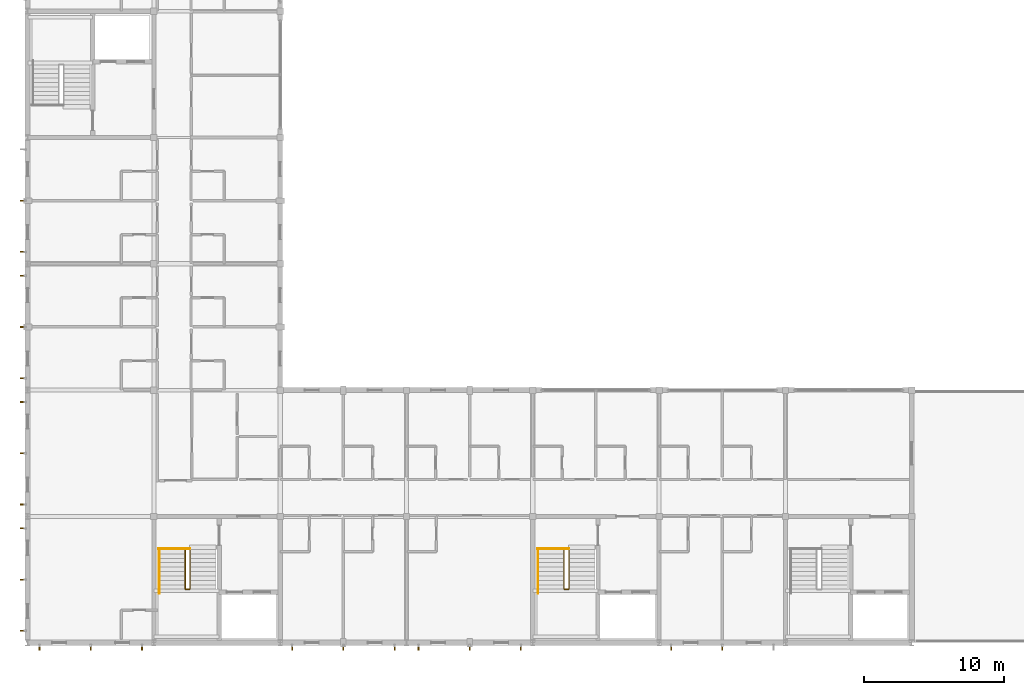
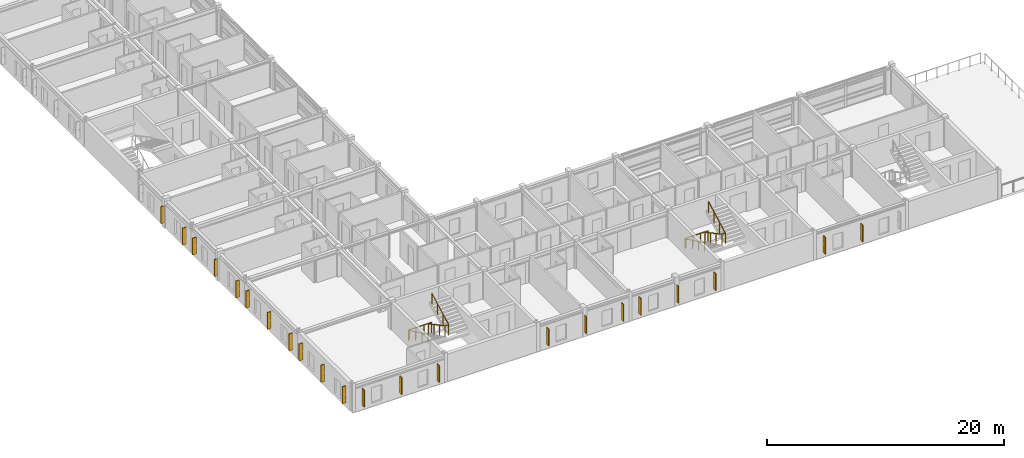
# One storey, part 21 of 24: 22 shading devices, 6 railings.
"""IFC4 building model written with IfcOpenShell, lengths in metres."""

from ifc_helpers import new_model, si_unit, direction, frame, origin, origin_2d, place, context, subcontext, project, spatial, rectangle, circle, extrude, material, type_object, element, save


model = new_model("IFC4")

# Units and contexts
model_context = context("Model", 3, precision=1e-05, world=origin(), true_north=direction((0.0, 1.0)))
body_context = subcontext(model_context, "Body", "Model", "MODEL_VIEW")
ifc_project = project(units=[si_unit("LENGTHUNIT", "METRE"), si_unit("AREAUNIT", "SQUARE_METRE"), si_unit("VOLUMEUNIT", "CUBIC_METRE"), si_unit("PLANEANGLEUNIT", "RADIAN"), si_unit("MASSUNIT", "GRAM", prefix="KILO")], contexts=[model_context])

# Site, building, storey
site_placement = place(None, origin())
site = spatial("IfcSite", under=ifc_project, at=site_placement, CompositionType="ELEMENT")
building_placement = place(site_placement, origin())
building = spatial("IfcBuilding", under=site, at=building_placement, Name="Palais des Congres Ocreval", CompositionType="ELEMENT")
storey_placement = place(building_placement, frame((0.0, 0.0, 17.60009765625)))
storey = spatial("IfcBuildingStorey", under=building, at=storey_placement, Name="L05", CompositionType="ELEMENT", Elevation=17.60009765625)

# Railings
ifc_material_1 = material(Name="Anodized bronze aluminium", Category="aluminium")
railing_type_1 = type_object("IfcRailingType", Name="Bronze Stair and Ramp Handrail 900", PredefinedType="HANDRAIL", material=ifc_material_1)
for number, where, name in (
    (1, (9.3798828125, 6.64990234375, 0.15185546875), "Stair Wall Handrail ST01 L05"),
    (2, (36.3798828125, 6.64990234375, 0.15185546875), "Stair Wall Handrail ST02 L05"),
):
    element("IfcRailing", number, at=place(storey_placement, frame(where)), inside=storey, type_object=railing_type_1, Name=name, PredefinedType="HANDRAIL", context=body_context, shape_type="SweptSolid", body=[
        extrude(circle(Radius=0.02392578125, at=origin_2d()), frame((0.0, 0.0, 0.8759765625), z_axis=(0.0, -0.900621362251, 0.434604604044), x_axis=(1.0, 0.0, 0.0)), (0.0, 0.0, 1.0), 3.49755859375),
        extrude(circle(Radius=0.02099609375, at=origin_2d()), origin(), (0.0, 0.0, 1.0), 0.851806640625),
        extrude(circle(Radius=0.02099609375, at=origin_2d()), frame((0.0, -1.050048828125, 0.506591796875)), (0.0, 0.0, 1.0), 0.851806640625),
        extrude(circle(Radius=0.02099609375, at=origin_2d()), frame((0.0, -2.099853515625, 1.013427734375)), (0.0, 0.0, 1.0), 0.851806640625),
        extrude(circle(Radius=0.02099609375, at=origin_2d()), frame((0.0, -3.14990234375, 1.52001953125)), (0.0, 0.0, 1.0), 0.851806640625),
    ])
ifc_material_2 = material(Name="Steel S355", Category="steel")
railing_type_2 = type_object("IfcRailingType", Name="Stairwell Steel Guardrail 1100", PredefinedType="GUARDRAIL", material=ifc_material_2)
railing_1_placement = place(storey_placement, frame((9.320068359375, 6.699951171875, 0.0)))
element("IfcRailing", 3, at=railing_1_placement, inside=storey, type_object=railing_type_2, Name="Stairwell Landing Edge Guard ST01 L05", PredefinedType="GUARDRAIL", context=body_context, shape_type="SweptSolid", body=[
    extrude(circle(Radius=0.02392578125, at=origin_2d()), frame((0.0, 0.0, 1.076171875), z_axis=(1.0, 0.0, 0.0), x_axis=(0.0, 1.0, 0.0)), (0.0, 0.0, 1.0), 2.25),
    extrude(circle(Radius=0.02099609375, at=origin_2d()), origin(), (0.0, 0.0, 1.0), 1.052001953125),
    extrude(circle(Radius=0.02099609375, at=origin_2d()), frame((0.75, 0.0, 0.0)), (0.0, 0.0, 1.0), 1.052001953125),
    extrude(circle(Radius=0.02099609375, at=origin_2d()), frame((1.5, 0.0, 0.0)), (0.0, 0.0, 1.0), 1.052001953125),
    extrude(circle(Radius=0.02099609375, at=origin_2d()), frame((2.25, 0.0, 0.0)), (0.0, 0.0, 1.0), 1.052001953125),
])
railing_2_placement = place(storey_placement, frame((11.22998046875, 6.64990234375, 0.0)))
element("IfcRailing", 4, at=railing_2_placement, inside=storey, type_object=railing_type_2, Name="Stair Inner Guardrail ST01 L05", PredefinedType="GUARDRAIL", context=body_context, shape_type="SweptSolid", body=[
    extrude(circle(Radius=0.02392578125, at=origin_2d()), frame((0.0, 0.0, 1.076171875), z_axis=(0.0, -0.881312927046, 0.472533093678), x_axis=(1.0, 0.0, 0.0)), (0.0, 0.0, 1.0), 3.216796875),
    extrude(circle(Radius=0.02392578125, at=origin_2d()), frame((0.0, -2.8349609375, 2.59619140625), z_axis=(1.0, 0.0, 0.0), x_axis=(0.0, 1.0, 0.0)), (0.0, 0.0, 1.0), 0.340087890625),
    extrude(circle(Radius=0.02392578125, at=origin_2d()), frame((0.340087890625, -2.8349609375, 2.59619140625), z_axis=(0.0, 0.881344533369, 0.472474140563), x_axis=(-1.0, 0.0, 0.0)), (0.0, 0.0, 1.0), 3.216552734375),
    extrude(circle(Radius=0.02099609375, at=origin_2d()), origin(), (0.0, 0.0, 1.0), 1.052001953125),
    extrude(circle(Radius=0.02099609375, at=origin_2d()), frame((0.0, -0.945068359375, 0.506591796875)), (0.0, 0.0, 1.0), 1.052001953125),
    extrude(circle(Radius=0.02099609375, at=origin_2d()), frame((0.0, -1.889892578125, 1.013427734375)), (0.0, 0.0, 1.0), 1.052001953125),
    extrude(circle(Radius=0.02099609375, at=origin_2d()), frame((0.0, -2.8349609375, 1.52001953125)), (0.0, 0.0, 1.0), 1.052001953125),
    extrude(circle(Radius=0.02099609375, at=origin_2d()), frame((0.340087890625, -2.8349609375, 1.52001953125)), (0.0, 0.0, 1.0), 1.052001953125),
    extrude(circle(Radius=0.02099609375, at=origin_2d()), frame((0.340087890625, -1.889892578125, 2.026611328125)), (0.0, 0.0, 1.0), 1.052001953125),
    extrude(circle(Radius=0.02099609375, at=origin_2d()), frame((0.340087890625, -0.945068359375, 2.533203125)), (0.0, 0.0, 1.0), 1.052001953125),
    extrude(circle(Radius=0.02099609375, at=origin_2d()), frame((0.340087890625, 0.0, 3.039794921875)), (0.0, 0.0, 1.0), 1.052001953125),
])
railing_3_placement = place(storey_placement, frame((36.320068359375, 6.699951171875, 0.0)))
element("IfcRailing", 5, at=railing_3_placement, inside=storey, type_object=railing_type_2, Name="Stairwell Landing Edge Guard ST02 L05", PredefinedType="GUARDRAIL", context=body_context, shape_type="SweptSolid", body=[
    extrude(circle(Radius=0.02392578125, at=origin_2d()), frame((0.0, 0.0, 1.076171875), z_axis=(1.0, 0.0, 0.0), x_axis=(0.0, 1.0, 0.0)), (0.0, 0.0, 1.0), 2.25),
    extrude(circle(Radius=0.02099609375, at=origin_2d()), origin(), (0.0, 0.0, 1.0), 1.052001953125),
    extrude(circle(Radius=0.02099609375, at=origin_2d()), frame((0.75, 0.0, 0.0)), (0.0, 0.0, 1.0), 1.052001953125),
    extrude(circle(Radius=0.02099609375, at=origin_2d()), frame((1.5, 0.0, 0.0)), (0.0, 0.0, 1.0), 1.052001953125),
    extrude(circle(Radius=0.02099609375, at=origin_2d()), frame((2.25, 0.0, 0.0)), (0.0, 0.0, 1.0), 1.052001953125),
])
railing_4_placement = place(storey_placement, frame((38.22998046875, 6.64990234375, 0.0)))
element("IfcRailing", 6, at=railing_4_placement, inside=storey, type_object=railing_type_2, Name="Stair Inner Guardrail ST02 L05", PredefinedType="GUARDRAIL", context=body_context, shape_type="SweptSolid", body=[
    extrude(circle(Radius=0.02392578125, at=origin_2d()), frame((0.0, 0.0, 1.076171875), z_axis=(0.0, -0.881312927046, 0.472533093678), x_axis=(1.0, 0.0, 0.0)), (0.0, 0.0, 1.0), 3.216796875),
    extrude(circle(Radius=0.02392578125, at=origin_2d()), frame((0.0, -2.8349609375, 2.59619140625), z_axis=(1.0, 0.0, 0.0), x_axis=(0.0, 1.0, 0.0)), (0.0, 0.0, 1.0), 0.340087890625),
    extrude(circle(Radius=0.02392578125, at=origin_2d()), frame((0.340087890625, -2.8349609375, 2.59619140625), z_axis=(0.0, 0.881344533369, 0.472474140563), x_axis=(-1.0, 0.0, 0.0)), (0.0, 0.0, 1.0), 3.216552734375),
    extrude(circle(Radius=0.02099609375, at=origin_2d()), origin(), (0.0, 0.0, 1.0), 1.052001953125),
    extrude(circle(Radius=0.02099609375, at=origin_2d()), frame((0.0, -0.945068359375, 0.506591796875)), (0.0, 0.0, 1.0), 1.052001953125),
    extrude(circle(Radius=0.02099609375, at=origin_2d()), frame((0.0, -1.889892578125, 1.013427734375)), (0.0, 0.0, 1.0), 1.052001953125),
    extrude(circle(Radius=0.02099609375, at=origin_2d()), frame((0.0, -2.8349609375, 1.52001953125)), (0.0, 0.0, 1.0), 1.052001953125),
    extrude(circle(Radius=0.02099609375, at=origin_2d()), frame((0.340087890625, -2.8349609375, 1.52001953125)), (0.0, 0.0, 1.0), 1.052001953125),
    extrude(circle(Radius=0.02099609375, at=origin_2d()), frame((0.340087890625, -1.889892578125, 2.026611328125)), (0.0, 0.0, 1.0), 1.052001953125),
    extrude(circle(Radius=0.02099609375, at=origin_2d()), frame((0.340087890625, -0.945068359375, 2.533203125)), (0.0, 0.0, 1.0), 1.052001953125),
    extrude(circle(Radius=0.02099609375, at=origin_2d()), frame((0.340087890625, 0.0, 3.039794921875)), (0.0, 0.0, 1.0), 1.052001953125),
])

# Shading devices
ifc_material_3 = material(Name="Terracotta ceramic", Category="masonry")
shading_device_type = type_object("IfcShadingDeviceType", Name="Terracotta Ceramic Brise-Soleil Fin 360", PredefinedType="JALOUSIE", material=ifc_material_3)
for number, where, z_axis, x_axis, name in (
    (7, (49.5, -0.360107421875, 0.474853515625), (0.0, 0.0, 1.0), (0.0, -1.0, 0.0), "Ceramic Celosia Sun-Fin SD01"),
    (8, (45.85009765625, -0.360107421875, 0.474853515625), (0.0, 0.0, 1.0), (0.0, -1.0, 0.0), "Ceramic Celosia Sun-Fin SD01"),
    (9, (35.14990234375, -0.360107421875, 0.474853515625), (0.0, 0.0, 1.0), (0.0, -1.0, 0.0), "Ceramic Celosia Sun-Fin SD01"),
    (10, (31.5, -0.360107421875, 0.474853515625), (0.0, 0.0, 1.0), (0.0, -1.0, 0.0), "Ceramic Celosia Sun-Fin SD01"),
    (11, (27.85009765625, -0.360107421875, 0.474853515625), (0.0, 0.0, 1.0), (0.0, -1.0, 0.0), "Ceramic Celosia Sun-Fin SD01"),
    (12, (26.14990234375, -0.360107421875, 0.474853515625), (0.0, 0.0, 1.0), (0.0, -1.0, 0.0), "Ceramic Celosia Sun-Fin SD01"),
    (13, (22.5, -0.360107421875, 0.474853515625), (0.0, 0.0, 1.0), (0.0, -1.0, 0.0), "Ceramic Celosia Sun-Fin SD01"),
    (14, (18.85009765625, -0.360107421875, 0.474853515625), (0.0, 0.0, 1.0), (0.0, -1.0, 0.0), "Ceramic Celosia Sun-Fin SD01"),
    (15, (8.14990234375, -0.360107421875, 0.474853515625), (0.0, 0.0, 1.0), (0.0, -1.0, 0.0), "Ceramic Celosia Sun-Fin SD01"),
    (16, (4.5, -0.360107421875, 0.474853515625), (0.0, 0.0, 1.0), (0.0, -1.0, 0.0), "Ceramic Celosia Sun-Fin SD01"),
    (17, (0.85009765625, -0.360107421875, 0.474853515625), (0.0, 0.0, 1.0), (0.0, -1.0, 0.0), "Ceramic Celosia Sun-Fin SD01"),
    (18, (-0.360107421875, 0.85009765625, 0.474853515625), (0.0, 0.0, 1.0), (-1.0, 0.0, 0.0), "Ceramic Celosia Sun-Fin SD01"),
    (19, (-0.360107421875, 4.5, 0.474853515625), (0.0, 0.0, 1.0), (-1.0, 0.0, 0.0), "Ceramic Celosia Sun-Fin SD01"),
    (20, (-0.360107421875, 8.14990234375, 0.474853515625), (0.0, 0.0, 1.0), (-1.0, 0.0, 0.0), "Ceramic Celosia Sun-Fin SD01"),
    (21, (-0.360107421875, 9.85009765625, 0.474853515625), (0.0, 0.0, 1.0), (-1.0, 0.0, 0.0), "Ceramic Celosia Sun-Fin SD01"),
    (22, (-0.360107421875, 13.5, 0.474853515625), (0.0, 0.0, 1.0), (-1.0, 0.0, 0.0), "Ceramic Celosia Sun-Fin SD01"),
    (23, (-0.360107421875, 17.14990234375, 0.474853515625), (0.0, 0.0, 1.0), (-1.0, 0.0, 0.0), "Ceramic Celosia Sun-Fin SD01"),
    (24, (-0.360107421875, 18.85009765625, 0.474853515625), (0.0, 0.0, 1.0), (-1.0, 0.0, 0.0), "Ceramic Celosia Sun-Fin SD01"),
    (25, (-0.360107421875, 22.5, 0.474853515625), (0.0, 0.0, 1.0), (-1.0, 0.0, 0.0), "Ceramic Celosia Sun-Fin SD01"),
    (26, (-0.360107421875, 26.14990234375, 0.474853515625), (0.0, 0.0, 1.0), (-1.0, 0.0, 0.0), "Ceramic Celosia Sun-Fin SD01"),
    (27, (-0.360107421875, 27.85009765625, 0.474853515625), (0.0, 0.0, 1.0), (-1.0, 0.0, 0.0), "Ceramic Celosia Sun-Fin SD01"),
    (28, (-0.360107421875, 31.5, 0.474853515625), (0.0, 0.0, 1.0), (-1.0, 0.0, 0.0), "Ceramic Celosia Sun-Fin SD01"),
):
    element("IfcShadingDevice", number, at=place(storey_placement, frame(where, z_axis=z_axis, x_axis=x_axis)), inside=storey, type_object=shading_device_type, Name=name, PredefinedType="JALOUSIE", context=body_context, shape_type="SweptSolid", body=[
        extrude(rectangle(XDim=0.360107421875, YDim=0.080078125, at=origin_2d()), origin(), (0.0, 0.0, 1.0), 1.75),
    ])

save(model, "model.ifc")
